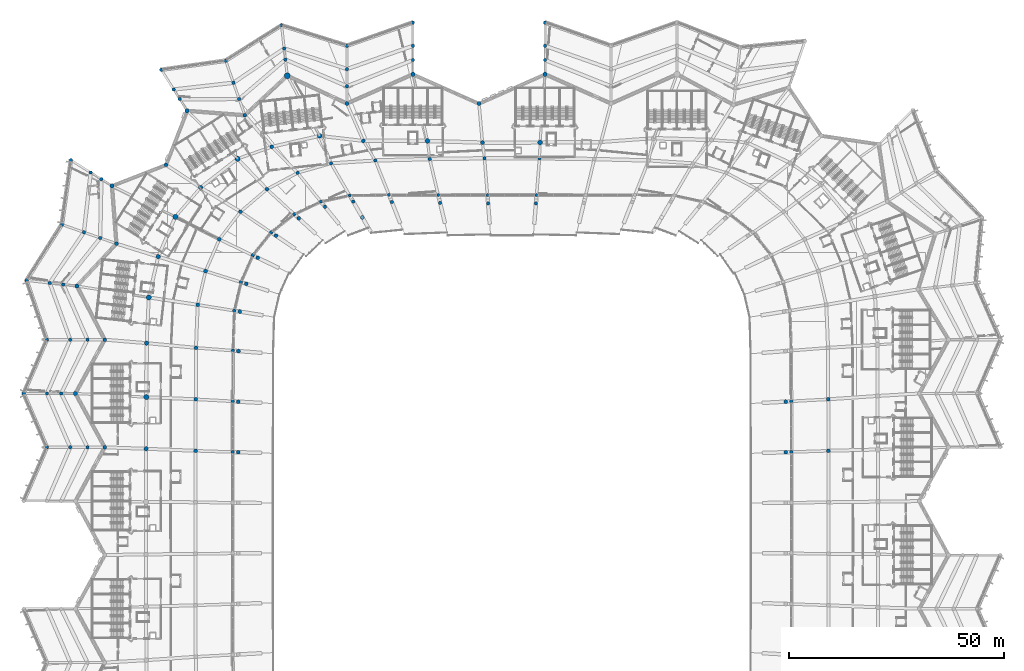
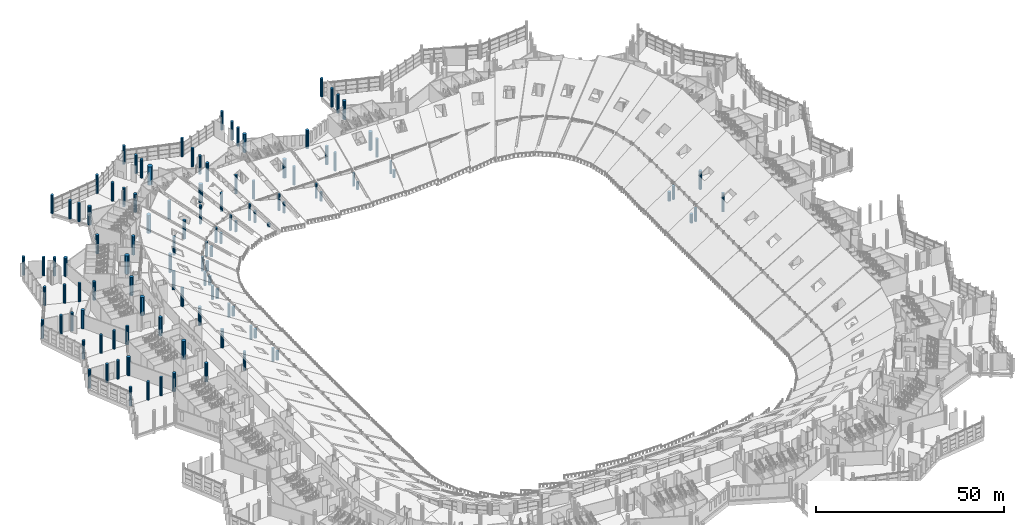
# One storey, part 3 of 249: 113 columns.
"""IFC4 building model written with IfcOpenShell, lengths in metres."""

from ifc_helpers import new_model, si_unit, direction, frame, origin, origin_2d, place, context, subcontext, project, spatial, circle, extrude, material, material_profile, profile_set, type_object, element, save


model = new_model("IFC4")

# Units and contexts
model_context = context("Model", 3, precision=1e-05, world=origin(), true_north=direction((0.0, 1.0)))
body_context = subcontext(model_context, "Body", "Model", "MODEL_VIEW")
ifc_project = project(units=[si_unit("LENGTHUNIT", "METRE"), si_unit("AREAUNIT", "SQUARE_METRE"), si_unit("VOLUMEUNIT", "CUBIC_METRE"), si_unit("PLANEANGLEUNIT", "RADIAN"), si_unit("MASSUNIT", "GRAM", prefix="KILO")], contexts=[model_context])

# Site, building, storey
site_placement = place(None, origin())
site = spatial("IfcSite", under=ifc_project, at=site_placement, CompositionType="ELEMENT")
building_placement = place(site_placement, origin())
building = spatial("IfcBuilding", under=site, at=building_placement, Name="Meseta Stadium", CompositionType="ELEMENT")
storey_placement = place(building_placement, frame((0.0, 0.0, 12.0)))
storey = spatial("IfcBuildingStorey", under=building, at=storey_placement, Name="L02", CompositionType="ELEMENT", Elevation=12.0)

# Columns
ifc_material_1 = material(Name="Concrete C40/50", Category="concrete")
ifc_material_profile_1 = material_profile(ifc_material_1, circle(Radius=0.5, at=origin_2d()), Name="RC D1000")
ifc_profile_set_1 = profile_set([ifc_material_profile_1], Name="Concrete C40/50")
column_type_1 = type_object("IfcColumnType", Name="RC column D1000", PredefinedType="COLUMN", material=ifc_profile_set_1)
for number, where, z_axis, x_axis, name in (
    (1, (7.666748046875, 105.39990234375, 0.0), (0.0, 0.0, 1.0), (1.0, 0.0, 0.0), "Column C10 L02 frame 18 line R"),
    (2, (-23.0, 105.39990234375, 0.0), (0.0, 0.0, 1.0), (1.0, 0.0, 0.0), "Column C10 L02 frame 20 line R"),
    (3, (-75.474609375, 96.908447265625, 0.0), (0.0, 0.0, 1.0), (1.0, 0.0, 0.0), "Column C10 L02 frame 24 line R"),
    (4, (-72.31201171875, 79.091064453125, 0.0), (0.0, 0.0, 1.0), (1.0, 0.0, 0.0), "Column C10 L02 frame 25 line P"),
    (5, (-92.908447265625, 79.474609375, 0.0), (0.0, 0.0, 1.0), (1.0, 0.0, 0.0), "Column C10 L02 frame 26 line R"),
    (6, (-82.169189453125, 63.03369140625, 0.0), (0.0, 0.0, 1.0), (1.0, 0.0, 0.0), "Column C10 L02 frame 27 line P"),
    (7, (-101.0517578125, 56.202880859375, 0.0), (0.0, 0.0, 1.0), (1.0, 0.0, 0.0), "Column C10 L02 frame 28 line R"),
    (8, (-84.85400390625, 42.948486328125, 0.0), (0.0, 0.0, 1.0), (1.0, 0.0, 0.0), "Column C10 L02 frame 29 line P"),
    (9, (-101.39990234375, 31.25, 0.0), (0.0, 0.0, 1.0), (1.0, 0.0, 0.0), "Column C10 L02 frame 30 line R"),
    (10, (-84.97314453125, 18.41064453125, 0.0), (0.0, 0.0, 1.0), (1.0, 0.0, 0.0), "Column C10 L02 frame 31 line P"),
):
    element("IfcColumn", number, at=place(storey_placement, frame(where, z_axis=z_axis, x_axis=x_axis)), inside=storey, type_object=column_type_1, Name=name, PredefinedType="COLUMN", context=body_context, shape_type="SweptSolid", body=[
        extrude(circle(Radius=0.5, at=origin_2d()), origin(), (0.0, 0.0, 1.0), 6.0),
    ])
ifc_material_2 = material(Name="Concrete C40/50", Category="concrete")
ifc_material_profile_2 = material_profile(ifc_material_2, circle(Radius=0.550048828125, at=origin_2d()), Name="RC D1100")
ifc_profile_set_2 = profile_set([ifc_material_profile_2], Name="Concrete C40/50")
column_type_2 = type_object("IfcColumnType", Name="RC column D1100", PredefinedType="COLUMN", material=ifc_profile_set_2)
for number, where, z_axis, x_axis, name in (
    (11, (6.51708984375, 89.54638671875, 0.0), (0.0, 0.0, 1.0), (1.0, 0.0, 0.0), "Column C11 L02 frame 18 line P"),
    (12, (-19.62744140625, 89.90380859375, 0.0), (0.0, 0.0, 1.0), (1.0, 0.0, 0.0), "Column C11 L02 frame 20 line P"),
    (13, (-44.6826171875, 91.0908203125, 0.0), (0.0, 0.0, 1.0), (1.0, 0.0, 0.0), "Column C11 L02 frame 22 line P"),
):
    element("IfcColumn", number, at=place(storey_placement, frame(where, z_axis=z_axis, x_axis=x_axis)), inside=storey, type_object=column_type_2, Name=name, PredefinedType="COLUMN", context=body_context, shape_type="SweptSolid", body=[
        extrude(circle(Radius=0.550048828125, at=origin_2d()), origin(), (0.0, 0.0, 1.0), 6.0),
    ])
ifc_material_3 = material(Name="Concrete C40/50", Category="concrete")
ifc_material_profile_3 = material_profile(ifc_material_3, circle(Radius=0.60009765625, at=origin_2d()), Name="RC D1200")
ifc_profile_set_3 = profile_set([ifc_material_profile_3], Name="Concrete C40/50")
column_type_3 = type_object("IfcColumnType", Name="RC column D1200", PredefinedType="COLUMN", material=ifc_profile_set_3)
for number, where, z_axis, x_axis, name in (
    (14, (-63.731201171875, 85.77099609375, 0.0), (0.0, 0.0, 1.0), (1.0, 0.0, 0.0), "Column C12 L02 frame 24 line P"),
    (15, (-78.197998046875, 72.27197265625, 0.0), (0.0, 0.0, 1.0), (1.0, 0.0, 0.0), "Column C12 L02 frame 26 line P"),
    (16, (-84.36328125, 53.5654296875, 0.0), (0.0, 0.0, 1.0), (1.0, 0.0, 0.0), "Column C12 L02 frame 28 line P"),
    (17, (-84.940673828125, 30.404052734375, 0.0), (0.0, 0.0, 1.0), (1.0, 0.0, 0.0), "Column C12 L02 frame 30 line P"),
):
    element("IfcColumn", number, at=place(storey_placement, frame(where, z_axis=z_axis, x_axis=x_axis)), inside=storey, type_object=column_type_3, Name=name, PredefinedType="COLUMN", context=body_context, shape_type="SweptSolid", body=[
        extrude(circle(Radius=0.60009765625, at=origin_2d()), origin(), (0.0, 0.0, 1.0), 6.0),
    ])
ifc_material_4 = material(Name="Concrete C40/50", Category="concrete")
ifc_material_profile_4 = material_profile(ifc_material_4, circle(Radius=0.699951171875, at=origin_2d()), Name="RC D1400")
ifc_profile_set_4 = profile_set([ifc_material_profile_4], Name="Concrete C40/50")
column_type_4 = type_object("IfcColumnType", Name="RC column D1400", PredefinedType="COLUMN", material=ifc_profile_set_4)
column_1_placement = place(storey_placement, frame((-52.202880859375, 105.0517578125, 0.0), z_axis=(0.0, 0.0, 1.0), x_axis=(1.0, 0.0, 0.0)))
element("IfcColumn", 18, at=column_1_placement, inside=storey, type_object=column_type_4, Name="Column C14 L02 frame 22 line R", PredefinedType="COLUMN", context=body_context, shape_type="SweptSolid", body=[
    extrude(circle(Radius=0.699951171875, at=origin_2d()), origin(), (0.0, 0.0, 1.0), 6.0),
])
ifc_material_5 = material(Name="Concrete C40/50", Category="concrete")
ifc_material_profile_5 = material_profile(ifc_material_5, circle(Radius=0.35009765625, at=origin_2d()), Name="RC D700")
ifc_profile_set_5 = profile_set([ifc_material_profile_5], Name="Concrete C40/50")
column_type_5 = type_object("IfcColumnType", Name="RC column D700", PredefinedType="COLUMN", material=ifc_profile_set_5)
for number, where, z_axis, x_axis, name in (
    (19, (5.70654296875, 77.3037109375, 0.0), (0.0, 0.0, 1.0), (1.0, 0.0, 0.0), "Column C7 L02 frame 18 line D"),
    (20, (-5.70654296875, 77.3037109375, 0.0), (0.0, 0.0, 1.0), (1.0, 0.0, 0.0), "Column C7 L02 frame 19 line D"),
):
    element("IfcColumn", number, at=place(storey_placement, frame(where, z_axis=z_axis, x_axis=x_axis)), inside=storey, type_object=column_type_5, Name=name, PredefinedType="COLUMN", context=body_context, shape_type="SweptSolid", body=[
        extrude(circle(Radius=0.35009765625, at=origin_2d()), origin(), (0.0, 0.0, 1.0), 4.193603515625),
    ])
column_2_placement = place(storey_placement, frame((-17.126708984375, 77.33203125, 0.0), z_axis=(0.0, 0.0, 1.0), x_axis=(1.0, 0.0, 0.0)))
element("IfcColumn", 21, at=column_2_placement, inside=storey, type_object=column_type_5, Name="Column C7 L02 frame 20 line D", PredefinedType="COLUMN", context=body_context, shape_type="SweptSolid", body=[
    extrude(circle(Radius=0.35009765625, at=origin_2d()), origin(), (0.0, 0.0, 1.0), 4.7626953125),
])
column_3_placement = place(storey_placement, frame((-28.564697265625, 77.38330078125, 0.0), z_axis=(0.0, 0.0, 1.0), x_axis=(1.0, 0.0, 0.0)))
element("IfcColumn", 22, at=column_3_placement, inside=storey, type_object=column_type_5, Name="Column C7 L02 frame 21 line D", PredefinedType="COLUMN", context=body_context, shape_type="SweptSolid", body=[
    extrude(circle(Radius=0.35009765625, at=origin_2d()), origin(), (0.0, 0.0, 1.0), 5.293701171875),
])
column_4_placement = place(storey_placement, frame((-37.711669921875, 77.26171875, 0.0), z_axis=(0.0, 0.0, 1.0), x_axis=(1.0, 0.0, 0.0)))
element("IfcColumn", 23, at=column_4_placement, inside=storey, type_object=column_type_5, Name="Column C7 L02 frame 22 line D", PredefinedType="COLUMN", context=body_context, shape_type="SweptSolid", body=[
    extrude(circle(Radius=0.35009765625, at=origin_2d()), origin(), (0.0, 0.0, 1.0), 5.414306640625),
])
column_5_placement = place(storey_placement, frame((-44.39013671875, 75.806396484375, 0.0), z_axis=(0.0, 0.0, 1.0), x_axis=(1.0, 0.0, 0.0)))
element("IfcColumn", 24, at=column_5_placement, inside=storey, type_object=column_type_5, Name="Column C7 L02 frame 23 line D", PredefinedType="COLUMN", context=body_context, shape_type="SweptSolid", body=[
    extrude(circle(Radius=0.35009765625, at=origin_2d()), origin(), (0.0, 0.0, 1.0), 5.00537109375),
])
ifc_material_6 = material(Name="Concrete C40/50", Category="concrete")
ifc_material_profile_6 = material_profile(ifc_material_6, circle(Radius=0.39990234375, at=origin_2d()), Name="RC D800")
ifc_profile_set_6 = profile_set([ifc_material_profile_6], Name="Concrete C40/50")
column_type_6 = type_object("IfcColumnType", Name="RC column D800", PredefinedType="COLUMN", material=ifc_profile_set_6)
column_6_placement = place(storey_placement, frame((64.886962890625, 17.66064453125, 0.0), z_axis=(0.0, 0.0, 1.0), x_axis=(1.0, 0.0, 0.0)))
element("IfcColumn", 25, at=column_6_placement, inside=storey, type_object=column_type_6, Name="Column C8 L02 frame 6 line D", PredefinedType="COLUMN", context=body_context, shape_type="SweptSolid", body=[
    extrude(circle(Radius=0.39990234375, at=origin_2d()), origin(), (0.0, 0.0, 1.0), 4.32080078125),
])
column_7_placement = place(storey_placement, frame((64.8642578125, 29.433349609375, 0.0), z_axis=(0.0, 0.0, 1.0), x_axis=(1.0, 0.0, 0.0)))
element("IfcColumn", 26, at=column_7_placement, inside=storey, type_object=column_type_6, Name="Column C8 L02 frame 7 line D", PredefinedType="COLUMN", context=body_context, shape_type="SweptSolid", body=[
    extrude(circle(Radius=0.39990234375, at=origin_2d()), origin(), (0.0, 0.0, 1.0), 4.397705078125),
])
column_8_placement = place(storey_placement, frame((5.556640625, 75.4150390625, 0.0), z_axis=(0.0, 0.0, 1.0), x_axis=(1.0, 0.0, 0.0)))
element("IfcColumn", 27, at=column_8_placement, inside=storey, type_object=column_type_6, Name="Column C8 L02 frame 18 line C", PredefinedType="COLUMN", context=body_context, shape_type="SweptSolid", body=[
    extrude(circle(Radius=0.39990234375, at=origin_2d()), origin(), (0.0, 0.0, 1.0), 2.395751953125),
])
column_9_placement = place(storey_placement, frame((6.386962890625, 85.876708984375, 0.0), z_axis=(0.0, 0.0, 1.0), x_axis=(1.0, 0.0, 0.0)))
element("IfcColumn", 28, at=column_9_placement, inside=storey, type_object=column_type_6, Name="Column C8 L02 frame 18 line E", PredefinedType="COLUMN", context=body_context, shape_type="SweptSolid", body=[
    extrude(circle(Radius=0.39990234375, at=origin_2d()), origin(), (0.0, 0.0, 1.0), 6.0),
])
column_10_placement = place(storey_placement, frame((-5.556640625, 75.4150390625, 0.0), z_axis=(0.0, 0.0, 1.0), x_axis=(1.0, 0.0, 0.0)))
element("IfcColumn", 29, at=column_10_placement, inside=storey, type_object=column_type_6, Name="Column C8 L02 frame 19 line C", PredefinedType="COLUMN", context=body_context, shape_type="SweptSolid", body=[
    extrude(circle(Radius=0.39990234375, at=origin_2d()), origin(), (0.0, 0.0, 1.0), 2.395751953125),
])
column_11_placement = place(storey_placement, frame((-6.386962890625, 85.876708984375, 0.0), z_axis=(0.0, 0.0, 1.0), x_axis=(1.0, 0.0, 0.0)))
element("IfcColumn", 30, at=column_11_placement, inside=storey, type_object=column_type_6, Name="Column C8 L02 frame 19 line E", PredefinedType="COLUMN", context=body_context, shape_type="SweptSolid", body=[
    extrude(circle(Radius=0.39990234375, at=origin_2d()), origin(), (0.0, 0.0, 1.0), 6.0),
])
column_12_placement = place(storey_placement, frame((-16.697509765625, 75.529541015625, 0.0), z_axis=(0.0, 0.0, 1.0), x_axis=(1.0, 0.0, 0.0)))
element("IfcColumn", 31, at=column_12_placement, inside=storey, type_object=column_type_6, Name="Column C8 L02 frame 20 line C", PredefinedType="COLUMN", context=body_context, shape_type="SweptSolid", body=[
    extrude(circle(Radius=0.39990234375, at=origin_2d()), origin(), (0.0, 0.0, 1.0), 2.990478515625),
])
column_13_placement = place(storey_placement, frame((-19.11865234375, 85.6982421875, 0.0), z_axis=(0.0, 0.0, 1.0), x_axis=(1.0, 0.0, 0.0)))
element("IfcColumn", 32, at=column_13_placement, inside=storey, type_object=column_type_6, Name="Column C8 L02 frame 20 line E", PredefinedType="COLUMN", context=body_context, shape_type="SweptSolid", body=[
    extrude(circle(Radius=0.39990234375, at=origin_2d()), origin(), (0.0, 0.0, 1.0), 6.0),
])
column_14_placement = place(storey_placement, frame((-27.910888671875, 75.735595703125, 0.0), z_axis=(0.0, 0.0, 1.0), x_axis=(1.0, 0.0, 0.0)))
element("IfcColumn", 33, at=column_14_placement, inside=storey, type_object=column_type_6, Name="Column C8 L02 frame 21 line C", PredefinedType="COLUMN", context=body_context, shape_type="SweptSolid", body=[
    extrude(circle(Radius=0.39990234375, at=origin_2d()), origin(), (0.0, 0.0, 1.0), 3.5712890625),
])
column_15_placement = place(storey_placement, frame((-31.73681640625, 85.376708984375, 0.0), z_axis=(0.0, 0.0, 1.0), x_axis=(1.0, 0.0, 0.0)))
element("IfcColumn", 34, at=column_15_placement, inside=storey, type_object=column_type_6, Name="Column C8 L02 frame 21 line E", PredefinedType="COLUMN", context=body_context, shape_type="SweptSolid", body=[
    extrude(circle(Radius=0.39990234375, at=origin_2d()), origin(), (0.0, 0.0, 1.0), 6.0),
])
column_16_placement = place(storey_placement, frame((-36.8857421875, 75.8330078125, 0.0), z_axis=(0.0, 0.0, 1.0), x_axis=(1.0, 0.0, 0.0)))
element("IfcColumn", 35, at=column_16_placement, inside=storey, type_object=column_type_6, Name="Column C8 L02 frame 22 line C", PredefinedType="COLUMN", context=body_context, shape_type="SweptSolid", body=[
    extrude(circle(Radius=0.39990234375, at=origin_2d()), origin(), (0.0, 0.0, 1.0), 3.76806640625),
])
column_17_placement = place(storey_placement, frame((-42.015625, 84.707275390625, 0.0), z_axis=(0.0, 0.0, 1.0), x_axis=(1.0, 0.0, 0.0)))
element("IfcColumn", 36, at=column_17_placement, inside=storey, type_object=column_type_6, Name="Column C8 L02 frame 22 line E", PredefinedType="COLUMN", context=body_context, shape_type="SweptSolid", body=[
    extrude(circle(Radius=0.39990234375, at=origin_2d()), origin(), (0.0, 0.0, 1.0), 6.0),
])
column_18_placement = place(storey_placement, frame((-43.430419921875, 74.617431640625, 0.0), z_axis=(0.0, 0.0, 1.0), x_axis=(1.0, 0.0, 0.0)))
element("IfcColumn", 37, at=column_18_placement, inside=storey, type_object=column_type_6, Name="Column C8 L02 frame 23 line C", PredefinedType="COLUMN", context=body_context, shape_type="SweptSolid", body=[
    extrude(circle(Radius=0.39990234375, at=origin_2d()), origin(), (0.0, 0.0, 1.0), 3.435791015625),
])
column_19_placement = place(storey_placement, frame((-49.791259765625, 82.498779296875, 0.0), z_axis=(0.0, 0.0, 1.0), x_axis=(1.0, 0.0, 0.0)))
element("IfcColumn", 38, at=column_19_placement, inside=storey, type_object=column_type_6, Name="Column C8 L02 frame 23 line E", PredefinedType="COLUMN", context=body_context, shape_type="SweptSolid", body=[
    extrude(circle(Radius=0.39990234375, at=origin_2d()), origin(), (0.0, 0.0, 1.0), 6.0),
])
column_20_placement = place(storey_placement, frame((-50.571533203125, 72.888671875, 0.0), z_axis=(0.0, 0.0, 1.0), x_axis=(1.0, 0.0, 0.0)))
element("IfcColumn", 39, at=column_20_placement, inside=storey, type_object=column_type_6, Name="Column C8 L02 frame 24 line D", PredefinedType="COLUMN", context=body_context, shape_type="SweptSolid", body=[
    extrude(circle(Radius=0.39990234375, at=origin_2d()), origin(), (0.0, 0.0, 1.0), 4.888671875),
])
column_21_placement = place(storey_placement, frame((-55.940185546875, 68.657958984375, 0.0), z_axis=(0.0, 0.0, 1.0), x_axis=(1.0, 0.0, 0.0)))
element("IfcColumn", 40, at=column_21_placement, inside=storey, type_object=column_type_6, Name="Column C8 L02 frame 25 line D", PredefinedType="COLUMN", context=body_context, shape_type="SweptSolid", body=[
    extrude(circle(Radius=0.39990234375, at=origin_2d()), origin(), (0.0, 0.0, 1.0), 4.729248046875),
])
column_22_placement = place(storey_placement, frame((-60.22216796875, 63.33056640625, 0.0), z_axis=(0.0, 0.0, 1.0), x_axis=(1.0, 0.0, 0.0)))
element("IfcColumn", 41, at=column_22_placement, inside=storey, type_object=column_type_6, Name="Column C8 L02 frame 26 line D", PredefinedType="COLUMN", context=body_context, shape_type="SweptSolid", body=[
    extrude(circle(Radius=0.39990234375, at=origin_2d()), origin(), (0.0, 0.0, 1.0), 4.561279296875),
])
column_23_placement = place(storey_placement, frame((-62.963623046875, 57.1044921875, 0.0), z_axis=(0.0, 0.0, 1.0), x_axis=(1.0, 0.0, 0.0)))
element("IfcColumn", 42, at=column_23_placement, inside=storey, type_object=column_type_6, Name="Column C8 L02 frame 27 line D", PredefinedType="COLUMN", context=body_context, shape_type="SweptSolid", body=[
    extrude(circle(Radius=0.39990234375, at=origin_2d()), origin(), (0.0, 0.0, 1.0), 4.30517578125),
])
column_24_placement = place(storey_placement, frame((-64.501708984375, 50.479736328125, 0.0), z_axis=(0.0, 0.0, 1.0), x_axis=(1.0, 0.0, 0.0)))
element("IfcColumn", 43, at=column_24_placement, inside=storey, type_object=column_type_6, Name="Column C8 L02 frame 28 line D", PredefinedType="COLUMN", context=body_context, shape_type="SweptSolid", body=[
    extrude(circle(Radius=0.39990234375, at=origin_2d()), origin(), (0.0, 0.0, 1.0), 4.47900390625),
])
column_25_placement = place(storey_placement, frame((-64.829833984375, 41.2041015625, 0.0), z_axis=(0.0, 0.0, 1.0), x_axis=(1.0, 0.0, 0.0)))
element("IfcColumn", 44, at=column_25_placement, inside=storey, type_object=column_type_6, Name="Column C8 L02 frame 29 line D", PredefinedType="COLUMN", context=body_context, shape_type="SweptSolid", body=[
    extrude(circle(Radius=0.39990234375, at=origin_2d()), origin(), (0.0, 0.0, 1.0), 4.474609375),
])
column_26_placement = place(storey_placement, frame((-64.8642578125, 29.433349609375, 0.0), z_axis=(0.0, 0.0, 1.0), x_axis=(1.0, 0.0, 0.0)))
element("IfcColumn", 45, at=column_26_placement, inside=storey, type_object=column_type_6, Name="Column C8 L02 frame 30 line D", PredefinedType="COLUMN", context=body_context, shape_type="SweptSolid", body=[
    extrude(circle(Radius=0.39990234375, at=origin_2d()), origin(), (0.0, 0.0, 1.0), 4.397705078125),
])
column_27_placement = place(storey_placement, frame((-64.886962890625, 17.66064453125, 0.0), z_axis=(0.0, 0.0, 1.0), x_axis=(1.0, 0.0, 0.0)))
element("IfcColumn", 46, at=column_27_placement, inside=storey, type_object=column_type_6, Name="Column C8 L02 frame 31 line D", PredefinedType="COLUMN", context=body_context, shape_type="SweptSolid", body=[
    extrude(circle(Radius=0.39990234375, at=origin_2d()), origin(), (0.0, 0.0, 1.0), 4.32080078125),
])
for number, where, z_axis, x_axis, name in (
    (47, (7.666748046875, 108.699951171875, 0.0), (0.0, 0.0, 1.0), (1.0, 0.0, 0.0), "Ring column C8 L02 frame 18 line M"),
    (48, (7.666748046875, 112.0, 0.0), (0.0, 0.0, 1.0), (1.0, 0.0, 0.0), "Ring column C8 L02 frame 18 line Q"),
    (49, (7.666748046875, 117.39990234375, 0.0), (0.0, 0.0, 1.0), (1.0, 0.0, 0.0), "Ring column C8 L02 frame 18 line O"),
    (50, (-23.0, 108.699951171875, 0.0), (0.0, 0.0, 1.0), (1.0, 0.0, 0.0), "Ring column C8 L02 frame 20 line M"),
    (51, (-23.0, 112.0, 0.0), (0.0, 0.0, 1.0), (1.0, 0.0, 0.0), "Ring column C8 L02 frame 20 line Q"),
    (52, (-23.0, 117.39990234375, 0.0), (0.0, 0.0, 1.0), (1.0, 0.0, 0.0), "Ring column C8 L02 frame 20 line O"),
    (53, (-38.333251953125, 102.60009765625, 0.0), (0.0, 0.0, 1.0), (1.0, 0.0, 0.0), "Ring column C8 L02 frame 21 line M"),
    (54, (-38.333251953125, 106.60009765625, 0.0), (0.0, 0.0, 1.0), (1.0, 0.0, 0.0), "Ring column C8 L02 frame 21 line Q"),
    (55, (-38.333251953125, 112.0, 0.0), (0.0, 0.0, 1.0), (1.0, 0.0, 0.0), "Ring column C8 L02 frame 21 line O"),
    (56, (-52.626220703125, 108.80810546875, 0.0), (0.0, 0.0, 1.0), (1.0, 0.0, 0.0), "Ring column C8 L02 frame 22 line M"),
    (57, (-52.9150390625, 111.372314453125, 0.0), (0.0, 0.0, 1.0), (1.0, 0.0, 0.0), "Ring column C8 L02 frame 22 line Q"),
    (58, (-53.51953125, 116.73828125, 0.0), (0.0, 0.0, 1.0), (1.0, 0.0, 0.0), "Ring column C8 L02 frame 22 line O"),
    (59, (-63.372802734375, 99.648193359375, 0.0), (0.0, 0.0, 1.0), (1.0, 0.0, 0.0), "Ring column C8 L02 frame 23 line M"),
    (60, (-64.69384765625, 103.423828125, 0.0), (0.0, 0.0, 1.0), (1.0, 0.0, 0.0), "Ring column C8 L02 frame 23 line Q"),
    (61, (-66.477294921875, 108.520751953125, 0.0), (0.0, 0.0, 1.0), (1.0, 0.0, 0.0), "Ring column C8 L02 frame 23 line O"),
    (62, (-77.187255859375, 99.63427734375, 0.0), (0.0, 0.0, 1.0), (1.0, 0.0, 0.0), "Ring column C8 L02 frame 24 line M"),
    (63, (-78.580810546875, 101.851806640625, 0.0), (0.0, 0.0, 1.0), (1.0, 0.0, 0.0), "Ring column C8 L02 frame 24 line Q"),
    (64, (-81.45361328125, 106.42431640625, 0.0), (0.0, 0.0, 1.0), (1.0, 0.0, 0.0), "Ring column C8 L02 frame 24 line O"),
    (65, (-95.380126953125, 81.027587890625, 0.0), (0.0, 0.0, 1.0), (1.0, 0.0, 0.0), "Ring column C8 L02 frame 26 line M"),
    (66, (-97.851806640625, 82.580810546875, 0.0), (0.0, 0.0, 1.0), (1.0, 0.0, 0.0), "Ring column C8 L02 frame 26 line Q"),
    (67, (-102.42431640625, 85.45361328125, 0.0), (0.0, 0.0, 1.0), (1.0, 0.0, 0.0), "Ring column C8 L02 frame 26 line O"),
    (68, (-95.648193359375, 67.372802734375, 0.0), (0.0, 0.0, 1.0), (1.0, 0.0, 0.0), "Ring column C8 L02 frame 27 line M"),
    (69, (-99.423828125, 68.69384765625, 0.0), (0.0, 0.0, 1.0), (1.0, 0.0, 0.0), "Ring column C8 L02 frame 27 line Q"),
    (70, (-104.520751953125, 70.477294921875, 0.0), (0.0, 0.0, 1.0), (1.0, 0.0, 0.0), "Ring column C8 L02 frame 27 line O"),
    (71, (-104.2119140625, 56.558837890625, 0.0), (0.0, 0.0, 1.0), (1.0, 0.0, 0.0), "Ring column C8 L02 frame 28 line M"),
    (72, (-107.372314453125, 56.9150390625, 0.0), (0.0, 0.0, 1.0), (1.0, 0.0, 0.0), "Ring column C8 L02 frame 28 line Q"),
    (73, (-112.73828125, 57.51953125, 0.0), (0.0, 0.0, 1.0), (1.0, 0.0, 0.0), "Ring column C8 L02 frame 28 line O"),
    (74, (-98.60009765625, 43.75, 0.0), (0.0, 0.0, 1.0), (1.0, 0.0, 0.0), "Ring column C8 L02 frame 29 line M"),
    (75, (-102.60009765625, 43.75, 0.0), (0.0, 0.0, 1.0), (1.0, 0.0, 0.0), "Ring column C8 L02 frame 29 line Q"),
    (76, (-108.0, 43.75, 0.0), (0.0, 0.0, 1.0), (1.0, 0.0, 0.0), "Ring column C8 L02 frame 29 line O"),
    (77, (-104.699951171875, 31.25, 0.0), (0.0, 0.0, 1.0), (1.0, 0.0, 0.0), "Ring column C8 L02 frame 30 line M"),
    (78, (-108.0, 31.25, 0.0), (0.0, 0.0, 1.0), (1.0, 0.0, 0.0), "Ring column C8 L02 frame 30 line Q"),
    (79, (-113.39990234375, 31.25, 0.0), (0.0, 0.0, 1.0), (1.0, 0.0, 0.0), "Ring column C8 L02 frame 30 line O"),
    (80, (-98.60009765625, 18.75, 0.0), (0.0, 0.0, 1.0), (1.0, 0.0, 0.0), "Ring column C8 L02 frame 31 line M"),
    (81, (-102.60009765625, 18.75, 0.0), (0.0, 0.0, 1.0), (1.0, 0.0, 0.0), "Ring column C8 L02 frame 31 line Q"),
    (82, (-108.0, 18.75, 0.0), (0.0, 0.0, 1.0), (1.0, 0.0, 0.0), "Ring column C8 L02 frame 31 line O"),
):
    element("IfcColumn", number, at=place(storey_placement, frame(where, z_axis=z_axis, x_axis=x_axis)), inside=storey, type_object=column_type_6, Name=name, PredefinedType="COLUMN", context=body_context, shape_type="SweptSolid", body=[
        extrude(circle(Radius=0.39990234375, at=origin_2d()), origin(), (0.0, 0.0, 1.0), 6.0),
    ])
ifc_material_7 = material(Name="Concrete C40/50", Category="concrete")
ifc_material_profile_7 = material_profile(ifc_material_7, circle(Radius=0.449951171875, at=origin_2d()), Name="RC D900")
ifc_profile_set_7 = profile_set([ifc_material_profile_7], Name="Concrete C40/50")
column_type_7 = type_object("IfcColumnType", Name="RC column D900", PredefinedType="COLUMN", material=ifc_profile_set_7)
column_28_placement = place(storey_placement, frame((63.587890625, 17.617919921875, 0.0), z_axis=(0.0, 0.0, 1.0), x_axis=(1.0, 0.0, 0.0)))
element("IfcColumn", 83, at=column_28_placement, inside=storey, type_object=column_type_7, Name="Column C9 L02 frame 6 line C", PredefinedType="COLUMN", context=body_context, shape_type="SweptSolid", body=[
    extrude(circle(Radius=0.449951171875, at=origin_2d()), origin(), (0.0, 0.0, 1.0), 2.89111328125),
])
column_29_placement = place(storey_placement, frame((73.482421875, 17.943603515625, 0.0), z_axis=(0.0, 0.0, 1.0), x_axis=(1.0, 0.0, 0.0)))
element("IfcColumn", 84, at=column_29_placement, inside=storey, type_object=column_type_7, Name="Column C9 L02 frame 6 line E", PredefinedType="COLUMN", context=body_context, shape_type="SweptSolid", body=[
    extrude(circle(Radius=0.449951171875, at=origin_2d()), origin(), (0.0, 0.0, 1.0), 6.0),
])
column_30_placement = place(storey_placement, frame((63.566162109375, 29.362060546875, 0.0), z_axis=(0.0, 0.0, 1.0), x_axis=(1.0, 0.0, 0.0)))
element("IfcColumn", 85, at=column_30_placement, inside=storey, type_object=column_type_7, Name="Column C9 L02 frame 7 line C", PredefinedType="COLUMN", context=body_context, shape_type="SweptSolid", body=[
    extrude(circle(Radius=0.449951171875, at=origin_2d()), origin(), (0.0, 0.0, 1.0), 2.968017578125),
])
for number, where, z_axis, x_axis, name in (
    (86, (73.451171875, 29.904052734375, 0.0), (0.0, 0.0, 1.0), (1.0, 0.0, 0.0), "Column C9 L02 frame 7 line E"),
    (87, (-6.870849609375, 89.517822265625, 0.0), (0.0, 0.0, 1.0), (1.0, 0.0, 0.0), "Column C9 L02 frame 19 line P"),
    (88, (-7.666748046875, 98.60009765625, 0.0), (0.0, 0.0, 1.0), (1.0, 0.0, 0.0), "Column C9 L02 frame 19 line R"),
    (89, (-34.53076171875, 89.911865234375, 0.0), (0.0, 0.0, 1.0), (1.0, 0.0, 0.0), "Column C9 L02 frame 21 line P"),
    (90, (-38.333251953125, 98.60009765625, 0.0), (0.0, 0.0, 1.0), (1.0, 0.0, 0.0), "Column C9 L02 frame 21 line R"),
):
    element("IfcColumn", number, at=place(storey_placement, frame(where, z_axis=z_axis, x_axis=x_axis)), inside=storey, type_object=column_type_7, Name=name, PredefinedType="COLUMN", context=body_context, shape_type="SweptSolid", body=[
        extrude(circle(Radius=0.449951171875, at=origin_2d()), origin(), (0.0, 0.0, 1.0), 6.0),
    ])
column_31_placement = place(storey_placement, frame((-34.7607421875, 72.15625, 0.0), z_axis=(0.0, 0.0, 1.0), x_axis=(1.0, 0.0, 0.0)))
element("IfcColumn", 91, at=column_31_placement, inside=storey, type_object=column_type_7, Name="Column C9 L02 frame 22 line U", PredefinedType="COLUMN", context=body_context, shape_type="SweptSolid", body=[
    extrude(circle(Radius=0.449951171875, at=origin_2d()), origin(), (0.0, 0.0, 1.0), 1.151611328125),
])
for number, where, z_axis, x_axis, name in (
    (92, (-55.799560546875, 88.541748046875, 0.0), (0.0, 0.0, 1.0), (1.0, 0.0, 0.0), "Column C9 L02 frame 23 line P"),
    (93, (-62.051513671875, 95.872802734375, 0.0), (0.0, 0.0, 1.0), (1.0, 0.0, 0.0), "Column C9 L02 frame 23 line R"),
):
    element("IfcColumn", number, at=place(storey_placement, frame(where, z_axis=z_axis, x_axis=x_axis)), inside=storey, type_object=column_type_7, Name=name, PredefinedType="COLUMN", context=body_context, shape_type="SweptSolid", body=[
        extrude(circle(Radius=0.449951171875, at=origin_2d()), origin(), (0.0, 0.0, 1.0), 6.0),
    ])
column_32_placement = place(storey_placement, frame((-49.518310546875, 71.924560546875, 0.0), z_axis=(0.0, 0.0, 1.0), x_axis=(1.0, 0.0, 0.0)))
element("IfcColumn", 94, at=column_32_placement, inside=storey, type_object=column_type_7, Name="Column C9 L02 frame 24 line C", PredefinedType="COLUMN", context=body_context, shape_type="SweptSolid", body=[
    extrude(circle(Radius=0.449951171875, at=origin_2d()), origin(), (0.0, 0.0, 1.0), 3.381103515625),
])
column_33_placement = place(storey_placement, frame((-56.9150390625, 78.69580078125, 0.0), z_axis=(0.0, 0.0, 1.0), x_axis=(1.0, 0.0, 0.0)))
element("IfcColumn", 95, at=column_33_placement, inside=storey, type_object=column_type_7, Name="Column C9 L02 frame 24 line E", PredefinedType="COLUMN", context=body_context, shape_type="SweptSolid", body=[
    extrude(circle(Radius=0.449951171875, at=origin_2d()), origin(), (0.0, 0.0, 1.0), 6.0),
])
column_34_placement = place(storey_placement, frame((-54.819580078125, 67.901611328125, 0.0), z_axis=(0.0, 0.0, 1.0), x_axis=(1.0, 0.0, 0.0)))
element("IfcColumn", 96, at=column_34_placement, inside=storey, type_object=column_type_7, Name="Column C9 L02 frame 25 line C", PredefinedType="COLUMN", context=body_context, shape_type="SweptSolid", body=[
    extrude(circle(Radius=0.449951171875, at=origin_2d()), origin(), (0.0, 0.0, 1.0), 3.268798828125),
])
for number, where, z_axis, x_axis, name in (
    (97, (-63.068115234375, 73.469970703125, 0.0), (0.0, 0.0, 1.0), (1.0, 0.0, 0.0), "Column C9 L02 frame 25 line E"),
    (98, (-80.365478515625, 84.365478515625, 0.0), (0.0, 0.0, 1.0), (1.0, 0.0, 0.0), "Column C9 L02 frame 25 line R"),
):
    element("IfcColumn", number, at=place(storey_placement, frame(where, z_axis=z_axis, x_axis=x_axis)), inside=storey, type_object=column_type_7, Name=name, PredefinedType="COLUMN", context=body_context, shape_type="SweptSolid", body=[
        extrude(circle(Radius=0.449951171875, at=origin_2d()), origin(), (0.0, 0.0, 1.0), 6.0),
    ])
column_35_placement = place(storey_placement, frame((-59.049072265625, 62.766357421875, 0.0), z_axis=(0.0, 0.0, 1.0), x_axis=(1.0, 0.0, 0.0)))
element("IfcColumn", 99, at=column_35_placement, inside=storey, type_object=column_type_7, Name="Column C9 L02 frame 26 line C", PredefinedType="COLUMN", context=body_context, shape_type="SweptSolid", body=[
    extrude(circle(Radius=0.449951171875, at=origin_2d()), origin(), (0.0, 0.0, 1.0), 3.13232421875),
])
column_36_placement = place(storey_placement, frame((-67.972412109375, 67.057861328125, 0.0), z_axis=(0.0, 0.0, 1.0), x_axis=(1.0, 0.0, 0.0)))
element("IfcColumn", 100, at=column_36_placement, inside=storey, type_object=column_type_7, Name="Column C9 L02 frame 26 line E", PredefinedType="COLUMN", context=body_context, shape_type="SweptSolid", body=[
    extrude(circle(Radius=0.449951171875, at=origin_2d()), origin(), (0.0, 0.0, 1.0), 6.0),
])
column_37_placement = place(storey_placement, frame((-61.72314453125, 56.715576171875, 0.0), z_axis=(0.0, 0.0, 1.0), x_axis=(1.0, 0.0, 0.0)))
element("IfcColumn", 101, at=column_37_placement, inside=storey, type_object=column_type_7, Name="Column C9 L02 frame 27 line C", PredefinedType="COLUMN", context=body_context, shape_type="SweptSolid", body=[
    extrude(circle(Radius=0.449951171875, at=origin_2d()), origin(), (0.0, 0.0, 1.0), 2.877197265625),
])
for number, where, z_axis, x_axis, name in (
    (102, (-71.169677734375, 59.67724609375, 0.0), (0.0, 0.0, 1.0), (1.0, 0.0, 0.0), "Column C9 L02 frame 27 line E"),
    (103, (-91.872802734375, 66.051513671875, 0.0), (0.0, 0.0, 1.0), (1.0, 0.0, 0.0), "Column C9 L02 frame 27 line R"),
):
    element("IfcColumn", number, at=place(storey_placement, frame(where, z_axis=z_axis, x_axis=x_axis)), inside=storey, type_object=column_type_7, Name=name, PredefinedType="COLUMN", context=body_context, shape_type="SweptSolid", body=[
        extrude(circle(Radius=0.449951171875, at=origin_2d()), origin(), (0.0, 0.0, 1.0), 6.0),
    ])
column_38_placement = place(storey_placement, frame((-63.21826171875, 50.27294921875, 0.0), z_axis=(0.0, 0.0, 1.0), x_axis=(1.0, 0.0, 0.0)))
element("IfcColumn", 104, at=column_38_placement, inside=storey, type_object=column_type_7, Name="Column C9 L02 frame 28 line C", PredefinedType="COLUMN", context=body_context, shape_type="SweptSolid", body=[
    extrude(circle(Radius=0.449951171875, at=origin_2d()), origin(), (0.0, 0.0, 1.0), 3.0498046875),
])
column_39_placement = place(storey_placement, frame((-72.9921875, 51.84716796875, 0.0), z_axis=(0.0, 0.0, 1.0), x_axis=(1.0, 0.0, 0.0)))
element("IfcColumn", 105, at=column_39_placement, inside=storey, type_object=column_type_7, Name="Column C9 L02 frame 28 line E", PredefinedType="COLUMN", context=body_context, shape_type="SweptSolid", body=[
    extrude(circle(Radius=0.449951171875, at=origin_2d()), origin(), (0.0, 0.0, 1.0), 6.0),
])
column_40_placement = place(storey_placement, frame((-63.53369140625, 41.1044921875, 0.0), z_axis=(0.0, 0.0, 1.0), x_axis=(1.0, 0.0, 0.0)))
element("IfcColumn", 106, at=column_40_placement, inside=storey, type_object=column_type_7, Name="Column C9 L02 frame 29 line C", PredefinedType="COLUMN", context=body_context, shape_type="SweptSolid", body=[
    extrude(circle(Radius=0.449951171875, at=origin_2d()), origin(), (0.0, 0.0, 1.0), 3.044677734375),
])
for number, where, z_axis, x_axis, name in (
    (107, (-73.40478515625, 41.8623046875, 0.0), (0.0, 0.0, 1.0), (1.0, 0.0, 0.0), "Column C9 L02 frame 29 line E"),
    (108, (-94.60009765625, 43.75, 0.0), (0.0, 0.0, 1.0), (1.0, 0.0, 0.0), "Column C9 L02 frame 29 line R"),
):
    element("IfcColumn", number, at=place(storey_placement, frame(where, z_axis=z_axis, x_axis=x_axis)), inside=storey, type_object=column_type_7, Name=name, PredefinedType="COLUMN", context=body_context, shape_type="SweptSolid", body=[
        extrude(circle(Radius=0.449951171875, at=origin_2d()), origin(), (0.0, 0.0, 1.0), 6.0),
    ])
column_41_placement = place(storey_placement, frame((-63.566162109375, 29.362060546875, 0.0), z_axis=(0.0, 0.0, 1.0), x_axis=(1.0, 0.0, 0.0)))
element("IfcColumn", 109, at=column_41_placement, inside=storey, type_object=column_type_7, Name="Column C9 L02 frame 30 line C", PredefinedType="COLUMN", context=body_context, shape_type="SweptSolid", body=[
    extrude(circle(Radius=0.449951171875, at=origin_2d()), origin(), (0.0, 0.0, 1.0), 2.968017578125),
])
column_42_placement = place(storey_placement, frame((-73.451171875, 29.904052734375, 0.0), z_axis=(0.0, 0.0, 1.0), x_axis=(1.0, 0.0, 0.0)))
element("IfcColumn", 110, at=column_42_placement, inside=storey, type_object=column_type_7, Name="Column C9 L02 frame 30 line E", PredefinedType="COLUMN", context=body_context, shape_type="SweptSolid", body=[
    extrude(circle(Radius=0.449951171875, at=origin_2d()), origin(), (0.0, 0.0, 1.0), 6.0),
])
column_43_placement = place(storey_placement, frame((-63.587890625, 17.617919921875, 0.0), z_axis=(0.0, 0.0, 1.0), x_axis=(1.0, 0.0, 0.0)))
element("IfcColumn", 111, at=column_43_placement, inside=storey, type_object=column_type_7, Name="Column C9 L02 frame 31 line C", PredefinedType="COLUMN", context=body_context, shape_type="SweptSolid", body=[
    extrude(circle(Radius=0.449951171875, at=origin_2d()), origin(), (0.0, 0.0, 1.0), 2.89111328125),
])
for number, where, z_axis, x_axis, name in (
    (112, (-73.482421875, 17.943603515625, 0.0), (0.0, 0.0, 1.0), (1.0, 0.0, 0.0), "Column C9 L02 frame 31 line E"),
    (113, (-94.60009765625, 18.75, 0.0), (0.0, 0.0, 1.0), (1.0, 0.0, 0.0), "Column C9 L02 frame 31 line R"),
):
    element("IfcColumn", number, at=place(storey_placement, frame(where, z_axis=z_axis, x_axis=x_axis)), inside=storey, type_object=column_type_7, Name=name, PredefinedType="COLUMN", context=body_context, shape_type="SweptSolid", body=[
        extrude(circle(Radius=0.449951171875, at=origin_2d()), origin(), (0.0, 0.0, 1.0), 6.0),
    ])

save(model, "model.ifc")
